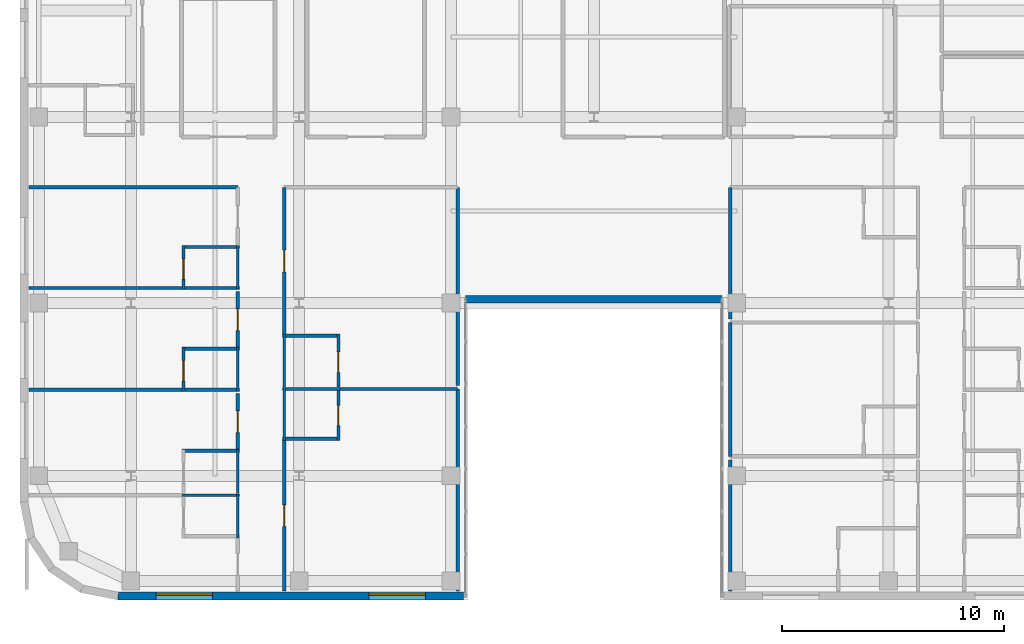
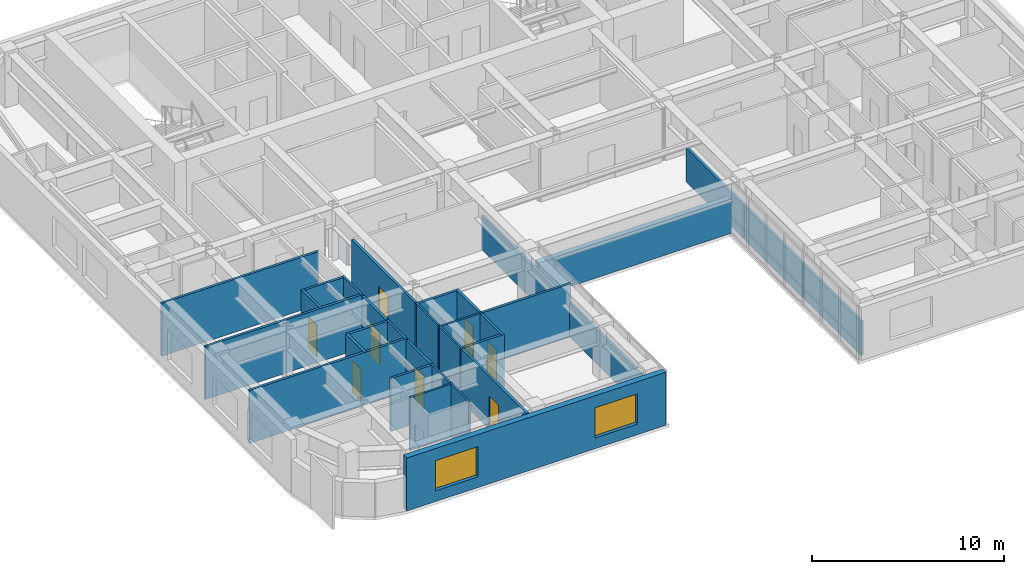
# One storey, part 7 of 14: 32 walls, 8 doors, 2 windows, 10 openings.
"""IFC4 building model written with IfcOpenShell, lengths in metres."""

from ifc_helpers import new_model, si_unit, direction, frame, frame_2d, origin, place, context, subcontext, project, spatial, rectangle, extrude, source, transform, mapped, material, layer, layer_set, type_object, type_shapes, element, fill, save


model = new_model("IFC4")

# Units and contexts
model_context = context("Model", 3, precision=1e-05, world=origin(), true_north=direction((0.0, 1.0)))
body_context = subcontext(model_context, "Body", "Model", "MODEL_VIEW")
ifc_project = project(units=[si_unit("LENGTHUNIT", "METRE"), si_unit("AREAUNIT", "SQUARE_METRE"), si_unit("VOLUMEUNIT", "CUBIC_METRE"), si_unit("PLANEANGLEUNIT", "RADIAN"), si_unit("MASSUNIT", "GRAM", prefix="KILO")], contexts=[model_context])

# Site, building, storey
site_placement = place(None, origin())
site = spatial("IfcSite", under=ifc_project, at=site_placement, CompositionType="ELEMENT")
building_placement = place(site_placement, origin())
building = spatial("IfcBuilding", under=site, at=building_placement, Name="Tolvann Quenvar Hotel", CompositionType="ELEMENT")
storey_placement = place(building_placement, frame((0.0, 0.0, 150.60009765625)))
storey = spatial("IfcBuildingStorey", under=building, at=storey_placement, Name="L39", CompositionType="ELEMENT", Elevation=150.60009765625)

# Wall, openings, windows
ifc_material_1 = material(Name="Kiln-fired red and buff architectural clay brickwork and terracotta masonry", Category="masonry")
ifc_layer_1 = layer(ifc_material_1, 0.35009765625)
ifc_layer_set_1 = layer_set([ifc_layer_1], Name="Kiln-fired red and buff architectural clay brickwork and terracotta masonry")
wall_type_1 = type_object("IfcWallType", Name="WALL_EXT_BRICK_350", PredefinedType="SOLIDWALL", material=ifc_layer_set_1)
wall_1_placement = place(storey_placement, frame((7.01708984375, 2.77490234375, 0.0), z_axis=(0.0, 0.0, 1.0), x_axis=(1.0, 0.0, 0.0)))
wall_1 = element("IfcWall", 1, at=wall_1_placement, inside=storey, type_object=wall_type_1, Name="Exterior Chicago Brick Wall L39-E04", PredefinedType="SOLIDWALL", context=body_context, shape_type="SweptSolid", body=[
    extrude(rectangle(XDim=15.60791015625, YDim=0.35009765625, at=frame_2d((7.803955078125, 0.0))), origin(), (0.0, 0.0, 1.0), 3.369873046875),
])
opening_1_placement = place(wall_1_placement, frame((1.72607421875, 0.0, 0.679931640625)))
opening_1 = element("IfcOpeningElement", 2, at=opening_1_placement, cuts=wall_1, Name="Opening W-09", PredefinedType="OPENING", context=body_context, shape_type="SweptSolid", body=[
    extrude(rectangle(XDim=2.550048828125, YDim=1.919921875, at=frame_2d((1.27490234375, 0.9599609375))), frame((0.0, 0.18505859375, 0.0), z_axis=(0.0, -1.0, 0.0), x_axis=(1.0, 0.0, 0.0)), (0.0, 0.0, 1.0), 0.3701171875),
])
opening_2_placement = place(wall_1_placement, frame((11.33203125, 0.0, 0.679931640625)))
opening_2 = element("IfcOpeningElement", 3, at=opening_2_placement, cuts=wall_1, Name="Opening W-09", PredefinedType="OPENING", context=body_context, shape_type="SweptSolid", body=[
    extrude(rectangle(XDim=2.550048828125, YDim=1.919921875, at=frame_2d((1.27490234375, 0.9599609375))), frame((0.0, 0.18505859375, 0.0), z_axis=(0.0, -1.0, 0.0), x_axis=(1.0, 0.0, 0.0)), (0.0, 0.0, 1.0), 0.3701171875),
])
ifc_material_2 = material(Name="Thermally broken bronze-anodised aluminium frame with double low-E glazing", Category="aluminium")
window_type = type_object("IfcWindowType", Name="WIN_LNG_2550x1950", PartitioningType="TRIPLE_PANEL_HORIZONTAL", PredefinedType="WINDOW", material=ifc_material_2)
shared_shape_1 = source(origin(), body_context, "Body", "SweptSolid", [
    extrude(rectangle(XDim=2.550048828125, YDim=1.919921875, at=frame_2d((1.27490234375, 0.9599609375))), frame((0.0, 0.090087890625, 0.0), z_axis=(0.0, -1.0, 0.0), x_axis=(1.0, 0.0, 0.0)), (0.0, 0.0, 1.0), 0.06005859375),
])
type_shapes(window_type, [shared_shape_1])
window_1_placement = place(opening_1_placement, origin())
window_1 = element("IfcWindow", 4, at=window_1_placement, inside=storey, type_object=window_type, Name="Chicago Window W-09 (EW-L39-E04-W01)", OverallHeight=1.919921875, OverallWidth=2.550048828125, PartitioningType="TRIPLE_PANEL_HORIZONTAL", PredefinedType="WINDOW", context=body_context, shape_type="MappedRepresentation", body=[
    mapped(shared_shape_1, transform((0.0, 0.0, 0.0), x_axis=(1.0, 0.0, 0.0), y_axis=(0.0, 1.0, 0.0), z_axis=(0.0, 0.0, 1.0), scale=1.0)),
])
fill(opening_1, window_1)
window_2_placement = place(opening_2_placement, origin())
window_2 = element("IfcWindow", 5, at=window_2_placement, inside=storey, type_object=window_type, Name="Chicago Window W-09 (EW-L39-E04-W02)", OverallHeight=1.919921875, OverallWidth=2.550048828125, PartitioningType="TRIPLE_PANEL_HORIZONTAL", PredefinedType="WINDOW", context=body_context, shape_type="MappedRepresentation", body=[
    mapped(shared_shape_1, transform((0.0, 0.0, 0.0), x_axis=(1.0, 0.0, 0.0), y_axis=(0.0, 1.0, 0.0), z_axis=(0.0, 0.0, 1.0), scale=1.0)),
])
fill(opening_2, window_2)

# Walls
wall_2_placement = place(storey_placement, frame((22.7099609375, 16.175048828125, 0.0), z_axis=(0.0, 0.0, 1.0), x_axis=(1.0, 0.0, 0.0)))
element("IfcWall", 6, at=wall_2_placement, inside=storey, type_object=wall_type_1, Name="Exterior Chicago Brick Wall L39-E06", PredefinedType="SOLIDWALL", context=body_context, shape_type="SweptSolid", body=[
    extrude(rectangle(XDim=11.580078125, YDim=0.35009765625, at=frame_2d((5.7900390625, 0.0))), origin(), (0.0, 0.0, 1.0), 2.159912109375),
])
ifc_material_3 = material(Name="Moisture-resistant acoustic plumbing wall assembly")
ifc_layer_2 = layer(ifc_material_3, 0.1201171875)
ifc_layer_set_2 = layer_set([ifc_layer_2], Name="Moisture-resistant acoustic plumbing wall assembly")
wall_type_2 = type_object("IfcWallType", Name="WALL_PART_BATH_120", PredefinedType="PLUMBINGWALL", material=ifc_layer_set_2)
wall_3_placement = place(storey_placement, frame((9.909912109375, 7.320068359375, 0.0), z_axis=(0.0, 0.0, 1.0), x_axis=(1.0, 0.0, 0.0)))
element("IfcWall", 7, at=wall_3_placement, inside=storey, type_object=wall_type_2, Name="Non-Rated Plumbing Partition PT-SPC-L39-ENS-WO01-N", PredefinedType="PLUMBINGWALL", context=body_context, shape_type="SweptSolid", body=[
    extrude(rectangle(XDim=2.590087890625, YDim=0.1201171875, at=frame_2d((1.294921875, 0.0))), origin(), (0.0, 0.0, 1.0), 3.369873046875),
])
for number, where, z_axis, x_axis, name in (
    (8, (12.429931640625, 5.39990234375, 0.0), (0.0, 0.0, 1.0), (0.0, 1.0, 0.0), "Non-Rated Plumbing Partition PT-SPC-L39-ENS-WO01-E"),
    (9, (12.429931640625, 7.409912109375, 0.0), (0.0, 0.0, 1.0), (0.0, 1.0, 0.0), "Non-Rated Plumbing Partition PT-SPC-L39-ENS-WO02-E"),
    (10, (12.429931640625, 12.010009765625, 0.0), (0.0, 0.0, 1.0), (0.0, 1.0, 0.0), "Non-Rated Plumbing Partition PT-SPC-L39-ENS-WO03-E"),
    (11, (12.429931640625, 16.610107421875, 0.0), (0.0, 0.0, 1.0), (0.0, 1.0, 0.0), "Non-Rated Plumbing Partition PT-SPC-L39-ENS-WO04-E"),
):
    element("IfcWall", number, at=place(storey_placement, frame(where, z_axis=z_axis, x_axis=x_axis)), inside=storey, type_object=wall_type_2, Name=name, PredefinedType="PLUMBINGWALL", context=body_context, shape_type="SweptSolid", body=[
        extrude(rectangle(XDim=1.989990234375, YDim=0.1201171875, at=frame_2d((0.9951171875, 0.0))), origin(), (0.0, 0.0, 1.0), 3.369873046875),
    ])
wall_4_placement = place(storey_placement, frame((14.449951171875, 12.1201171875, 0.0), z_axis=(0.0, 0.0, 1.0), x_axis=(1.0, 0.0, 0.0)))
element("IfcWall", 12, at=wall_4_placement, inside=storey, type_object=wall_type_2, Name="Non-Rated Plumbing Partition PT-SPC-L39-ENS-WI01-N", PredefinedType="PLUMBINGWALL", context=body_context, shape_type="SweptSolid", body=[
    extrude(rectangle(XDim=2.590087890625, YDim=0.1201171875, at=frame_2d((1.294921875, 0.0))), origin(), (0.0, 0.0, 1.0), 3.369873046875),
])
wall_5_placement = place(storey_placement, frame((14.52001953125, 9.800048828125, 0.0), z_axis=(0.0, 0.0, 1.0), x_axis=(0.0, 1.0, 0.0)))
element("IfcWall", 13, at=wall_5_placement, inside=storey, type_object=wall_type_2, Name="Non-Rated Plumbing Partition PT-SPC-L39-ENS-WI01-W", PredefinedType="PLUMBINGWALL", context=body_context, shape_type="SweptSolid", body=[
    extrude(rectangle(XDim=2.389892578125, YDim=0.1201171875, at=frame_2d((1.19482421875, 0.0))), origin(), (0.0, 0.0, 1.0), 3.369873046875),
])
wall_6_placement = place(storey_placement, frame((14.52001953125, 12.2099609375, 0.0), z_axis=(0.0, 0.0, 1.0), x_axis=(0.0, 1.0, 0.0)))
element("IfcWall", 14, at=wall_6_placement, inside=storey, type_object=wall_type_2, Name="Non-Rated Plumbing Partition PT-SPC-L39-ENS-WI02-W", PredefinedType="PLUMBINGWALL", context=body_context, shape_type="SweptSolid", body=[
    extrude(rectangle(XDim=2.39013671875, YDim=0.1201171875, at=frame_2d((1.195068359375, 0.0))), origin(), (0.0, 0.0, 1.0), 3.369873046875),
])
ifc_material_4 = material(Name="Acoustic twin-stud fire-rated gypsum plasterboard partition")
ifc_layer_3 = layer(ifc_material_4, 0.14990234375)
ifc_layer_set_3 = layer_set([ifc_layer_3], Name="Acoustic twin-stud fire-rated gypsum plasterboard partition")
wall_type_3 = type_object("IfcWallType", Name="WALL_PART_SUITE_150", PredefinedType="PARTITIONING", material=ifc_layer_set_3)
wall_7_placement = place(storey_placement, frame((9.909912109375, 9.330078125, 0.0), z_axis=(0.0, 0.0, 1.0), x_axis=(1.0, 0.0, 0.0)))
element("IfcWall", 15, at=wall_7_placement, inside=storey, type_object=wall_type_3, Name="Interior Partition PT-SPC-L39-ENS-WO02-N", PredefinedType="PARTITIONING", context=body_context, shape_type="SweptSolid", body=[
    extrude(rectangle(XDim=2.590087890625, YDim=0.14990234375, at=frame_2d((1.294921875, 0.0))), origin(), (0.0, 0.0, 1.0), 3.369873046875),
])

# Wall, opening, door
wall_8_placement = place(storey_placement, frame((9.97998046875, 12.010009765625, 0.0), z_axis=(0.0, 0.0, 1.0), x_axis=(0.0, 1.0, 0.0)))
wall_8 = element("IfcWall", 16, at=wall_8_placement, inside=storey, type_object=wall_type_3, Name="Interior Partition PT-SPC-L39-ENS-WO03-ENT", PredefinedType="PARTITIONING", context=body_context, shape_type="SweptSolid", body=[
    extrude(rectangle(XDim=1.989990234375, YDim=0.14990234375, at=frame_2d((0.9951171875, 0.0))), origin(), (0.0, 0.0, 1.0), 3.369873046875),
])
opening_3_placement = place(wall_8_placement, frame((0.465087890625, 0.0, 0.0)))
opening_3 = element("IfcOpeningElement", 17, at=opening_3_placement, cuts=wall_8, Name="Opening WD-01", PredefinedType="OPENING", context=body_context, shape_type="SweptSolid", body=[
    extrude(rectangle(XDim=0.919921875, YDim=2.010009765625, at=frame_2d((0.4599609375, 1.0048828125))), frame((0.0, 0.0849609375, 0.0), z_axis=(0.0, -1.0, 0.0), x_axis=(1.0, 0.0, 0.0)), (0.0, 0.0, 1.0), 0.169921875),
])
ifc_material_5 = material(Name="Solid-core American oak acoustic fire door leaf in steel frame", Category="steel")
door_type_1 = type_object("IfcDoorType", Name="DOOR_WC_920", OperationType="NOTDEFINED", PredefinedType="DOOR", material=ifc_material_5)
shared_shape_2 = source(origin(), body_context, "Body", "SweptSolid", [
    extrude(rectangle(XDim=0.919921875, YDim=2.010009765625, at=frame_2d((0.4599609375, 1.0048828125))), frame((0.0, 0.02490234375, 0.0), z_axis=(0.0, -1.0, 0.0), x_axis=(1.0, 0.0, 0.0)), (0.0, 0.0, 1.0), 0.050048828125),
])
type_shapes(door_type_1, [shared_shape_2])
door_1_placement = place(opening_3_placement, origin())
door_1 = element("IfcDoor", 18, at=door_1_placement, inside=storey, type_object=door_type_1, Name="Interior Door DOOR-SPC-L39-ENS-WO03", OperationType="SINGLE_SWING_RIGHT", OverallHeight=2.010009765625, OverallWidth=0.919921875, PredefinedType="DOOR", context=body_context, shape_type="MappedRepresentation", body=[
    mapped(shared_shape_2, transform((0.0, 0.0, 0.0), x_axis=(1.0, 0.0, 0.0), y_axis=(0.0, 1.0, 0.0), z_axis=(0.0, 0.0, 1.0), scale=1.0)),
])
fill(opening_3, door_1)

# Walls
wall_9_placement = place(storey_placement, frame((3.0048828125, 12.080078125, 0.0), z_axis=(0.0, 0.0, 1.0), x_axis=(1.0, 0.0, 0.0)))
element("IfcWall", 19, at=wall_9_placement, inside=storey, type_object=wall_type_3, Name="Interior Partition PT-SPC-L39-ENS-WO03-S", PredefinedType="PARTITIONING", context=body_context, shape_type="SweptSolid", body=[
    extrude(rectangle(XDim=9.4951171875, YDim=0.14990234375, at=frame_2d((4.74755859375, 0.0))), origin(), (0.0, 0.0, 1.0), 3.369873046875),
])
wall_10_placement = place(storey_placement, frame((9.909912109375, 13.929931640625, 0.0), z_axis=(0.0, 0.0, 1.0), x_axis=(1.0, 0.0, 0.0)))
element("IfcWall", 20, at=wall_10_placement, inside=storey, type_object=wall_type_3, Name="Interior Partition PT-SPC-L39-ENS-WO03-N", PredefinedType="PARTITIONING", context=body_context, shape_type="SweptSolid", body=[
    extrude(rectangle(XDim=2.590087890625, YDim=0.14990234375, at=frame_2d((1.294921875, 0.0))), origin(), (0.0, 0.0, 1.0), 3.369873046875),
])

# Wall, opening, door
wall_11_placement = place(storey_placement, frame((9.97998046875, 16.610107421875, 0.0), z_axis=(0.0, 0.0, 1.0), x_axis=(0.0, 1.0, 0.0)))
wall_11 = element("IfcWall", 21, at=wall_11_placement, inside=storey, type_object=wall_type_3, Name="Interior Partition PT-SPC-L39-ENS-WO04-ENT", PredefinedType="PARTITIONING", context=body_context, shape_type="SweptSolid", body=[
    extrude(rectangle(XDim=1.989990234375, YDim=0.14990234375, at=frame_2d((0.9951171875, 0.0))), origin(), (0.0, 0.0, 1.0), 3.369873046875),
])
opening_4_placement = place(wall_11_placement, frame((0.465087890625, 0.0, 0.0)))
opening_4 = element("IfcOpeningElement", 22, at=opening_4_placement, cuts=wall_11, Name="Opening WD-01", PredefinedType="OPENING", context=body_context, shape_type="SweptSolid", body=[
    extrude(rectangle(XDim=0.919921875, YDim=2.010009765625, at=frame_2d((0.4599609375, 1.0048828125))), frame((0.0, 0.0849609375, 0.0), z_axis=(0.0, -1.0, 0.0), x_axis=(1.0, 0.0, 0.0)), (0.0, 0.0, 1.0), 0.169921875),
])
door_2_placement = place(opening_4_placement, origin())
door_2 = element("IfcDoor", 23, at=door_2_placement, inside=storey, type_object=door_type_1, Name="Interior Door DOOR-SPC-L39-ENS-WO04", OperationType="SINGLE_SWING_LEFT", OverallHeight=2.010009765625, OverallWidth=0.919921875, PredefinedType="DOOR", context=body_context, shape_type="MappedRepresentation", body=[
    mapped(shared_shape_2, transform((0.0, 0.0, 0.0), x_axis=(1.0, 0.0, 0.0), y_axis=(0.0, 1.0, 0.0), z_axis=(0.0, 0.0, 1.0), scale=1.0)),
])
fill(opening_4, door_2)

# Walls
wall_12_placement = place(storey_placement, frame((3.0048828125, 16.679931640625, 0.0), z_axis=(0.0, 0.0, 1.0), x_axis=(1.0, 0.0, 0.0)))
element("IfcWall", 24, at=wall_12_placement, inside=storey, type_object=wall_type_3, Name="Interior Partition PT-SPC-L39-ENS-WO04-S", PredefinedType="PARTITIONING", context=body_context, shape_type="SweptSolid", body=[
    extrude(rectangle(XDim=9.4951171875, YDim=0.14990234375, at=frame_2d((4.74755859375, 0.0))), origin(), (0.0, 0.0, 1.0), 3.369873046875),
])
wall_13_placement = place(storey_placement, frame((9.909912109375, 18.530029296875, 0.0), z_axis=(0.0, 0.0, 1.0), x_axis=(1.0, 0.0, 0.0)))
element("IfcWall", 25, at=wall_13_placement, inside=storey, type_object=wall_type_3, Name="Interior Partition PT-SPC-L39-ENS-WO04-N", PredefinedType="PARTITIONING", context=body_context, shape_type="SweptSolid", body=[
    extrude(rectangle(XDim=2.590087890625, YDim=0.14990234375, at=frame_2d((1.294921875, 0.0))), origin(), (0.0, 0.0, 1.0), 3.369873046875),
])

# Wall, opening, door
wall_14_placement = place(storey_placement, frame((16.969970703125, 9.800048828125, 0.0), z_axis=(0.0, 0.0, 1.0), x_axis=(0.0, 1.0, 0.0)))
wall_14 = element("IfcWall", 26, at=wall_14_placement, inside=storey, type_object=wall_type_3, Name="Interior Partition PT-SPC-L39-ENS-WI01-ENT", PredefinedType="PARTITIONING", context=body_context, shape_type="SweptSolid", body=[
    extrude(rectangle(XDim=2.389892578125, YDim=0.14990234375, at=frame_2d((1.19482421875, 0.0))), origin(), (0.0, 0.0, 1.0), 3.369873046875),
])
opening_5_placement = place(wall_14_placement, frame((0.6650390625, 0.0, 0.0)))
opening_5 = element("IfcOpeningElement", 27, at=opening_5_placement, cuts=wall_14, Name="Opening WD-01", PredefinedType="OPENING", context=body_context, shape_type="SweptSolid", body=[
    extrude(rectangle(XDim=0.919921875, YDim=2.010009765625, at=frame_2d((0.4599609375, 1.0048828125))), frame((0.0, 0.0849609375, 0.0), z_axis=(0.0, -1.0, 0.0), x_axis=(1.0, 0.0, 0.0)), (0.0, 0.0, 1.0), 0.169921875),
])
door_3_placement = place(opening_5_placement, origin())
door_3 = element("IfcDoor", 28, at=door_3_placement, inside=storey, type_object=door_type_1, Name="Interior Door DOOR-SPC-L39-ENS-WI01", OperationType="SINGLE_SWING_RIGHT", OverallHeight=2.010009765625, OverallWidth=0.919921875, PredefinedType="DOOR", context=body_context, shape_type="MappedRepresentation", body=[
    mapped(shared_shape_2, transform((0.0, 0.0, 0.0), x_axis=(1.0, 0.0, 0.0), y_axis=(0.0, 1.0, 0.0), z_axis=(0.0, 0.0, 1.0), scale=1.0)),
])
fill(opening_5, door_3)

# Wall
wall_15_placement = place(storey_placement, frame((14.449951171875, 9.8701171875, 0.0), z_axis=(0.0, 0.0, 1.0), x_axis=(1.0, 0.0, 0.0)))
element("IfcWall", 29, at=wall_15_placement, inside=storey, type_object=wall_type_3, Name="Interior Partition PT-SPC-L39-ENS-WI01-S", PredefinedType="PARTITIONING", context=body_context, shape_type="SweptSolid", body=[
    extrude(rectangle(XDim=2.590087890625, YDim=0.14990234375, at=frame_2d((1.294921875, 0.0))), origin(), (0.0, 0.0, 1.0), 3.369873046875),
])

# Wall, opening, door
wall_16_placement = place(storey_placement, frame((16.969970703125, 12.2099609375, 0.0), z_axis=(0.0, 0.0, 1.0), x_axis=(0.0, 1.0, 0.0)))
wall_16 = element("IfcWall", 30, at=wall_16_placement, inside=storey, type_object=wall_type_3, Name="Interior Partition PT-SPC-L39-ENS-WI02-ENT", PredefinedType="PARTITIONING", context=body_context, shape_type="SweptSolid", body=[
    extrude(rectangle(XDim=2.39013671875, YDim=0.14990234375, at=frame_2d((1.195068359375, 0.0))), origin(), (0.0, 0.0, 1.0), 3.369873046875),
])
opening_6_placement = place(wall_16_placement, frame((0.6650390625, 0.0, 0.0)))
opening_6 = element("IfcOpeningElement", 31, at=opening_6_placement, cuts=wall_16, Name="Opening WD-01", PredefinedType="OPENING", context=body_context, shape_type="SweptSolid", body=[
    extrude(rectangle(XDim=0.919921875, YDim=2.010009765625, at=frame_2d((0.4599609375, 1.0048828125))), frame((0.0, 0.0849609375, 0.0), z_axis=(0.0, -1.0, 0.0), x_axis=(1.0, 0.0, 0.0)), (0.0, 0.0, 1.0), 0.169921875),
])
door_4_placement = place(opening_6_placement, origin())
door_4 = element("IfcDoor", 32, at=door_4_placement, inside=storey, type_object=door_type_1, Name="Interior Door DOOR-SPC-L39-ENS-WI02", OperationType="SINGLE_SWING_LEFT", OverallHeight=2.010009765625, OverallWidth=0.919921875, PredefinedType="DOOR", context=body_context, shape_type="MappedRepresentation", body=[
    mapped(shared_shape_2, transform((0.0, 0.0, 0.0), x_axis=(1.0, 0.0, 0.0), y_axis=(0.0, 1.0, 0.0), z_axis=(0.0, 0.0, 1.0), scale=1.0)),
])
fill(opening_6, door_4)

# Wall
wall_17_placement = place(storey_placement, frame((14.449951171875, 14.530029296875, 0.0), z_axis=(0.0, 0.0, 1.0), x_axis=(1.0, 0.0, 0.0)))
element("IfcWall", 33, at=wall_17_placement, inside=storey, type_object=wall_type_3, Name="Interior Partition PT-SPC-L39-ENS-WI02-N", PredefinedType="PARTITIONING", context=body_context, shape_type="SweptSolid", body=[
    extrude(rectangle(XDim=2.590087890625, YDim=0.14990234375, at=frame_2d((1.294921875, 0.0))), origin(), (0.0, 0.0, 1.0), 3.369873046875),
])

# Wall, opening, door
wall_18_placement = place(storey_placement, frame((12.429931640625, 9.409912109375, 0.0), z_axis=(0.0, 0.0, 1.0), x_axis=(0.0, 1.0, 0.0)))
wall_18 = element("IfcWall", 34, at=wall_18_placement, inside=storey, type_object=wall_type_3, Name="Interior Partition PT-SPC-L39-RM-WO02-ENT", PredefinedType="PARTITIONING", context=body_context, shape_type="SweptSolid", body=[
    extrude(rectangle(XDim=2.510009765625, YDim=0.14990234375, at=frame_2d((1.2548828125, 0.0))), origin(), (0.0, 0.0, 1.0), 3.369873046875),
])
opening_7_placement = place(wall_18_placement, frame((0.7451171875, 0.0, 0.0)))
opening_7 = element("IfcOpeningElement", 35, at=opening_7_placement, cuts=wall_18, Name="Opening SD-01", PredefinedType="OPENING", context=body_context, shape_type="SweptSolid", body=[
    extrude(rectangle(XDim=0.97998046875, YDim=2.1201171875, at=frame_2d((0.489990234375, 1.06005859375))), frame((0.0, 0.0849609375, 0.0), z_axis=(0.0, -1.0, 0.0), x_axis=(1.0, 0.0, 0.0)), (0.0, 0.0, 1.0), 0.169921875),
])
door_type_2 = type_object("IfcDoorType", Name="DOOR_SUITE_980", OperationType="NOTDEFINED", PredefinedType="DOOR", material=ifc_material_5)
shared_shape_3 = source(origin(), body_context, "Body", "SweptSolid", [
    extrude(rectangle(XDim=0.97998046875, YDim=2.1201171875, at=frame_2d((0.489990234375, 1.06005859375))), frame((0.0, 0.02490234375, 0.0), z_axis=(0.0, -1.0, 0.0), x_axis=(1.0, 0.0, 0.0)), (0.0, 0.0, 1.0), 0.050048828125),
])
type_shapes(door_type_2, [shared_shape_3])
door_5_placement = place(opening_7_placement, origin())
door_5 = element("IfcDoor", 36, at=door_5_placement, inside=storey, type_object=door_type_2, Name="Interior Door DOOR-SPC-L39-RM-WO02", OperationType="SINGLE_SWING_LEFT", OverallHeight=2.1201171875, OverallWidth=0.97998046875, PredefinedType="DOOR", context=body_context, shape_type="MappedRepresentation", body=[
    mapped(shared_shape_3, transform((0.0, 0.0, 0.0), x_axis=(1.0, 0.0, 0.0), y_axis=(0.0, 1.0, 0.0), z_axis=(0.0, 0.0, 1.0), scale=1.0)),
])
fill(opening_7, door_5)

wall_19_placement = place(storey_placement, frame((12.429931640625, 14.010009765625, 0.0), z_axis=(0.0, 0.0, 1.0), x_axis=(0.0, 1.0, 0.0)))
wall_19 = element("IfcWall", 37, at=wall_19_placement, inside=storey, type_object=wall_type_3, Name="Interior Partition PT-SPC-L39-RM-WO03-ENT", PredefinedType="PARTITIONING", context=body_context, shape_type="SweptSolid", body=[
    extrude(rectangle(XDim=2.510009765625, YDim=0.14990234375, at=frame_2d((1.2548828125, 0.0))), origin(), (0.0, 0.0, 1.0), 3.369873046875),
])
opening_8_placement = place(wall_19_placement, frame((0.7451171875, 0.0, 0.0)))
opening_8 = element("IfcOpeningElement", 38, at=opening_8_placement, cuts=wall_19, Name="Opening SD-01", PredefinedType="OPENING", context=body_context, shape_type="SweptSolid", body=[
    extrude(rectangle(XDim=0.97998046875, YDim=2.1201171875, at=frame_2d((0.489990234375, 1.06005859375))), frame((0.0, 0.0849609375, 0.0), z_axis=(0.0, -1.0, 0.0), x_axis=(1.0, 0.0, 0.0)), (0.0, 0.0, 1.0), 0.169921875),
])
door_6_placement = place(opening_8_placement, origin())
door_6 = element("IfcDoor", 39, at=door_6_placement, inside=storey, type_object=door_type_2, Name="Interior Door DOOR-SPC-L39-RM-WO03", OperationType="SINGLE_SWING_RIGHT", OverallHeight=2.1201171875, OverallWidth=0.97998046875, PredefinedType="DOOR", context=body_context, shape_type="MappedRepresentation", body=[
    mapped(shared_shape_3, transform((0.0, 0.0, 0.0), x_axis=(1.0, 0.0, 0.0), y_axis=(0.0, 1.0, 0.0), z_axis=(0.0, 0.0, 1.0), scale=1.0)),
])
fill(opening_8, door_6)

# Wall
wall_20_placement = place(storey_placement, frame((3.0048828125, 21.219970703125, 0.0), z_axis=(0.0, 0.0, 1.0), x_axis=(1.0, 0.0, 0.0)))
element("IfcWall", 40, at=wall_20_placement, inside=storey, type_object=wall_type_3, Name="Interior Partition PT-SPC-L39-RM-WO04-E5", PredefinedType="PARTITIONING", context=body_context, shape_type="SweptSolid", body=[
    extrude(rectangle(XDim=9.425048828125, YDim=0.14990234375, at=frame_2d((4.71240234375, 0.0))), origin(), (0.0, 0.0, 1.0), 3.369873046875),
])

# Wall, opening, door
wall_21_placement = place(storey_placement, frame((14.52001953125, 3.0048828125, 0.0), z_axis=(0.0, 0.0, 1.0), x_axis=(0.0, 1.0, 0.0)))
wall_21 = element("IfcWall", 41, at=wall_21_placement, inside=storey, type_object=wall_type_3, Name="Interior Partition PT-SPC-L39-RM-WI01-ENT", PredefinedType="PARTITIONING", context=body_context, shape_type="SweptSolid", body=[
    extrude(rectangle(XDim=6.78515625, YDim=0.14990234375, at=frame_2d((3.392578125, 0.0))), origin(), (0.0, 0.0, 1.0), 3.369873046875),
])
opening_9_placement = place(wall_21_placement, frame((2.909912109375, 0.0, 0.0)))
opening_9 = element("IfcOpeningElement", 42, at=opening_9_placement, cuts=wall_21, Name="Opening SD-01", PredefinedType="OPENING", context=body_context, shape_type="SweptSolid", body=[
    extrude(rectangle(XDim=0.97998046875, YDim=2.1201171875, at=frame_2d((0.489990234375, 1.06005859375))), frame((0.0, 0.0849609375, 0.0), z_axis=(0.0, -1.0, 0.0), x_axis=(1.0, 0.0, 0.0)), (0.0, 0.0, 1.0), 0.169921875),
])
door_7_placement = place(opening_9_placement, origin())
door_7 = element("IfcDoor", 43, at=door_7_placement, inside=storey, type_object=door_type_2, Name="Interior Door DOOR-SPC-L39-RM-WI01", OperationType="SINGLE_SWING_RIGHT", OverallHeight=2.1201171875, OverallWidth=0.97998046875, PredefinedType="DOOR", context=body_context, shape_type="MappedRepresentation", body=[
    mapped(shared_shape_3, transform((0.0, 0.0, 0.0), x_axis=(1.0, 0.0, 0.0), y_axis=(0.0, 1.0, 0.0), z_axis=(0.0, 0.0, 1.0), scale=1.0)),
])
fill(opening_9, door_7)

# Walls
wall_22_placement = place(storey_placement, frame((22.35009765625, 3.0048828125, 0.0), z_axis=(0.0, 0.0, 1.0), x_axis=(0.0, 1.0, 0.0)))
element("IfcWall", 44, at=wall_22_placement, inside=storey, type_object=wall_type_3, Name="Interior Partition PT-SPC-L39-RM-WI01-E2", PredefinedType="PARTITIONING", context=body_context, shape_type="SweptSolid", body=[
    extrude(rectangle(XDim=9.115234375, YDim=0.14990234375, at=frame_2d((4.5576171875, 0.0))), origin(), (0.0, 0.0, 1.0), 2.159912109375),
])
wall_23_placement = place(storey_placement, frame((16.989990234375, 12.1201171875, 0.0), z_axis=(0.0, 0.0, 1.0), x_axis=(1.0, 0.0, 0.0)))
element("IfcWall", 45, at=wall_23_placement, inside=storey, type_object=wall_type_3, Name="Interior Partition PT-SPC-L39-RM-WI01-E3", PredefinedType="PARTITIONING", context=body_context, shape_type="SweptSolid", body=[
    extrude(rectangle(XDim=5.360107421875, YDim=0.14990234375, at=frame_2d((2.68017578125, 0.0))), origin(), (0.0, 0.0, 1.0), 3.369873046875),
])

# Wall, opening, door
wall_24_placement = place(storey_placement, frame((14.52001953125, 14.610107421875, 0.0), z_axis=(0.0, 0.0, 1.0), x_axis=(0.0, 1.0, 0.0)))
wall_24 = element("IfcWall", 46, at=wall_24_placement, inside=storey, type_object=wall_type_3, Name="Interior Partition PT-SPC-L39-RM-WI02-ENT", PredefinedType="PARTITIONING", context=body_context, shape_type="SweptSolid", body=[
    extrude(rectangle(XDim=6.60986328125, YDim=0.14990234375, at=frame_2d((3.304931640625, 0.0))), origin(), (0.0, 0.0, 1.0), 3.369873046875),
])
opening_10_placement = place(wall_24_placement, frame((2.794921875, 0.0, 0.0)))
opening_10 = element("IfcOpeningElement", 47, at=opening_10_placement, cuts=wall_24, Name="Opening SD-01", PredefinedType="OPENING", context=body_context, shape_type="SweptSolid", body=[
    extrude(rectangle(XDim=0.97998046875, YDim=2.1201171875, at=frame_2d((0.489990234375, 1.06005859375))), frame((0.0, 0.0849609375, 0.0), z_axis=(0.0, -1.0, 0.0), x_axis=(1.0, 0.0, 0.0)), (0.0, 0.0, 1.0), 0.169921875),
])
door_8_placement = place(opening_10_placement, origin())
door_8 = element("IfcDoor", 48, at=door_8_placement, inside=storey, type_object=door_type_2, Name="Interior Door DOOR-SPC-L39-RM-WI02", OperationType="SINGLE_SWING_LEFT", OverallHeight=2.1201171875, OverallWidth=0.97998046875, PredefinedType="DOOR", context=body_context, shape_type="MappedRepresentation", body=[
    mapped(shared_shape_3, transform((0.0, 0.0, 0.0), x_axis=(1.0, 0.0, 0.0), y_axis=(0.0, 1.0, 0.0), z_axis=(0.0, 0.0, 1.0), scale=1.0)),
])
fill(opening_10, door_8)

# Walls
wall_25_placement = place(storey_placement, frame((22.35009765625, 12.280029296875, 0.0), z_axis=(0.0, 0.0, 1.0), x_axis=(0.0, 1.0, 0.0)))
element("IfcWall", 49, at=wall_25_placement, inside=storey, type_object=wall_type_3, Name="Interior Partition PT-SPC-L39-RM-WI02-E4", PredefinedType="PARTITIONING", context=body_context, shape_type="SweptSolid", body=[
    extrude(rectangle(XDim=8.93994140625, YDim=0.14990234375, at=frame_2d((4.469970703125, 0.0))), origin(), (0.0, 0.0, 1.0), 2.159912109375),
])
wall_26_placement = place(storey_placement, frame((34.64990234375, 3.0048828125, 0.0), z_axis=(0.0, 0.0, 1.0), x_axis=(0.0, 1.0, 0.0)))
element("IfcWall", 50, at=wall_26_placement, inside=storey, type_object=wall_type_3, Name="Interior Partition PT-SPC-L39-RM-EI01-E6", PredefinedType="PARTITIONING", context=body_context, shape_type="SweptSolid", body=[
    extrude(rectangle(XDim=5.9150390625, YDim=0.14990234375, at=frame_2d((2.95751953125, 0.0))), origin(), (0.0, 0.0, 1.0), 2.159912109375),
])
wall_27_placement = place(storey_placement, frame((34.64990234375, 9.080078125, 0.0), z_axis=(0.0, 0.0, 1.0), x_axis=(0.0, 1.0, 0.0)))
element("IfcWall", 51, at=wall_27_placement, inside=storey, type_object=wall_type_3, Name="Interior Partition PT-SPC-L39-RM-EI02-E6", PredefinedType="PARTITIONING", context=body_context, shape_type="SweptSolid", body=[
    extrude(rectangle(XDim=6.0400390625, YDim=0.14990234375, at=frame_2d((3.02001953125, 0.0))), origin(), (0.0, 0.0, 1.0), 2.159912109375),
])
wall_28_placement = place(storey_placement, frame((34.64990234375, 15.280029296875, 0.0), z_axis=(0.0, 0.0, 1.0), x_axis=(0.0, 1.0, 0.0)))
element("IfcWall", 52, at=wall_28_placement, inside=storey, type_object=wall_type_3, Name="Interior Partition PT-SPC-L39-RM-EI03-E6", PredefinedType="PARTITIONING", context=body_context, shape_type="SweptSolid", body=[
    extrude(rectangle(XDim=5.93994140625, YDim=0.14990234375, at=frame_2d((2.969970703125, 0.0))), origin(), (0.0, 0.0, 1.0), 2.159912109375),
])

save(model, "model.ifc")
